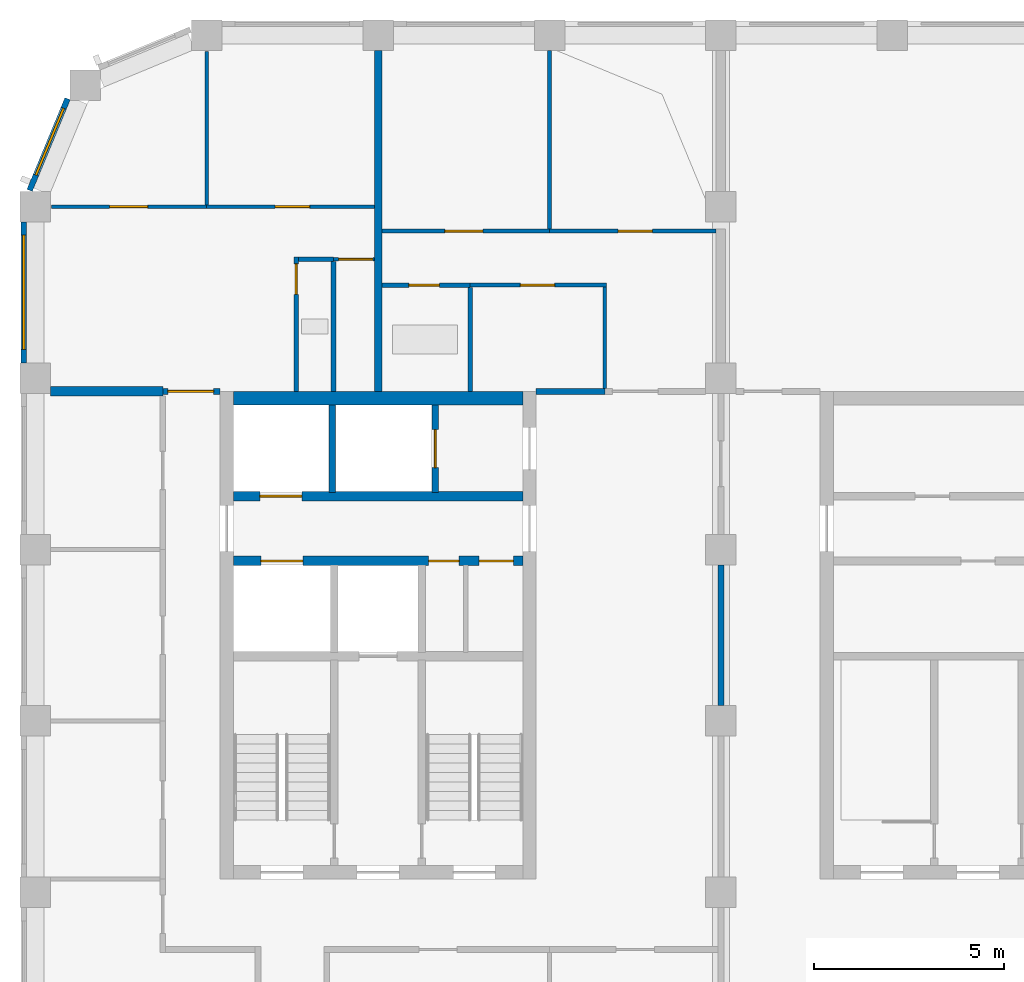
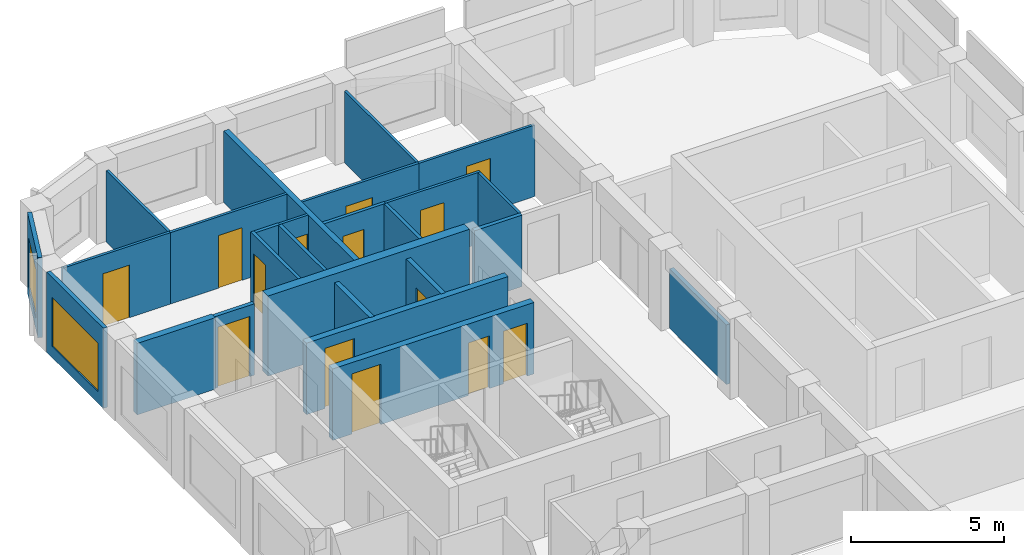
# One storey, part 6 of 10: 26 walls, 14 doors, 2 windows, 16 openings.
"""IFC4 building model written with IfcOpenShell, lengths in metres."""

from ifc_helpers import new_model, si_unit, direction, frame, frame_2d, origin, place, context, subcontext, project, spatial, rectangle, extrude, material, layer, layer_set, type_object, element, fill, save


model = new_model("IFC4")

# Units and contexts
model_context = context("Model", 3, precision=1e-05, world=origin(), true_north=direction((0.0, 1.0)))
body_context = subcontext(model_context, "Body", "Model", "MODEL_VIEW")
ifc_project = project(units=[si_unit("LENGTHUNIT", "METRE"), si_unit("AREAUNIT", "SQUARE_METRE"), si_unit("VOLUMEUNIT", "CUBIC_METRE"), si_unit("PLANEANGLEUNIT", "RADIAN"), si_unit("MASSUNIT", "GRAM", prefix="KILO")], contexts=[model_context])

# Site, building, storey
site_placement = place(None, origin())
site = spatial("IfcSite", under=ifc_project, at=site_placement, CompositionType="ELEMENT")
building_placement = place(site_placement, origin())
building = spatial("IfcBuilding", under=site, at=building_placement, Name="Girih Gate Residences", CompositionType="ELEMENT")
storey_placement = place(building_placement, frame((0.0, 0.0, 232.4951171875)))
storey = spatial("IfcBuildingStorey", under=building, at=storey_placement, Name="L65", CompositionType="ELEMENT", Elevation=232.4951171875)

# Wall
ifc_material_1 = material(Name="Gypsum board on steel studs", Category="steel")
ifc_layer_1 = layer(ifc_material_1, 0.25)
ifc_layer_set_1 = layer_set([ifc_layer_1], Name="Acoustic separating wall 250 mm")
wall_type_1 = type_object("IfcWallType", Name="Acoustic separating wall 250 mm", PredefinedType="PARTITIONING", material=ifc_layer_set_1)
wall_1_placement = place(storey_placement, frame((0.39990234375, 40.14990234375, 0.0), z_axis=(0.0, 0.0, 1.0), x_axis=(1.0, 0.0, 0.0)))
element("IfcWall", 1, at=wall_1_placement, inside=storey, type_object=wall_type_1, Name="L65 partition", PredefinedType="PARTITIONING", context=body_context, shape_type="SweptSolid", body=[
    extrude(rectangle(XDim=2.9501953125, YDim=0.25, at=frame_2d((1.47509765625, 0.0))), origin(), (0.0, 0.0, 1.0), 2.849853515625),
])

# Wall, opening, door
ifc_layer_2 = layer(ifc_material_1, 0.14990234375)
ifc_layer_set_2 = layer_set([ifc_layer_2], Name="Compartment wall 150 mm")
wall_type_2 = type_object("IfcWallType", Name="Compartment wall 150 mm", PredefinedType="PARTITIONING", material=ifc_layer_set_2)
wall_2_placement = place(storey_placement, frame((3.35009765625, 40.14990234375, 0.0), z_axis=(0.0, 0.0, 1.0), x_axis=(1.0, 0.0, 0.0)))
wall_2 = element("IfcWall", 2, at=wall_2_placement, inside=storey, type_object=wall_type_2, Name="L65 partition", PredefinedType="PARTITIONING", context=body_context, shape_type="SweptSolid", body=[
    extrude(rectangle(XDim=1.5, YDim=0.14990234375, at=frame_2d((0.75, 0.0))), origin(), (0.0, 0.0, 1.0), 2.849853515625),
])
opening_1_placement = place(wall_2_placement, frame((0.1298828125, 0.0, 0.0)))
opening_1 = element("IfcOpeningElement", 3, at=opening_1_placement, cuts=wall_2, Name="Opening A65-012", PredefinedType="OPENING", context=body_context, shape_type="SweptSolid", body=[
    extrude(rectangle(XDim=1.199951171875, YDim=2.39990234375, at=frame_2d((0.60009765625, 1.199951171875))), frame((0.0, 0.0849609375, 0.0), z_axis=(0.0, -1.0, 0.0), x_axis=(1.0, 0.0, 0.0)), (0.0, 0.0, 1.0), 0.169921875),
])
ifc_material_2 = material(Name="Timber, fire-rated core", Category="wood")
door_type_1 = type_object("IfcDoorType", Name="Villa entrance door 1200x2400 FD30S", OperationType="NOTDEFINED", PredefinedType="DOOR", material=ifc_material_2)
door_1_placement = place(opening_1_placement, origin())
door_1 = element("IfcDoor", 4, at=door_1_placement, inside=storey, type_object=door_type_1, Name="Door A65-012", OperationType="SINGLE_SWING_LEFT", OverallHeight=2.39990234375, OverallWidth=1.199951171875, PredefinedType="DOOR", context=body_context, shape_type="SweptSolid", body=[
    extrude(rectangle(XDim=1.199951171875, YDim=2.39990234375, at=frame_2d((0.60009765625, 1.199951171875))), frame((0.0, 0.02490234375, 0.0), z_axis=(0.0, -1.0, 0.0), x_axis=(1.0, 0.0, 0.0)), (0.0, 0.0, 1.0), 0.050048828125),
])
fill(opening_1, door_1)

# Walls
wall_3_placement = place(storey_placement, frame((13.14990234375, 40.14990234375, 0.0), z_axis=(0.0, 0.0, 1.0), x_axis=(1.0, 0.0, 0.0)))
element("IfcWall", 5, at=wall_3_placement, inside=storey, type_object=wall_type_2, Name="L65 partition", PredefinedType="PARTITIONING", context=body_context, shape_type="SweptSolid", body=[
    extrude(rectangle(XDim=1.800048828125, YDim=0.14990234375, at=frame_2d((0.89990234375, 0.0))), origin(), (0.0, 0.0, 1.0), 2.849853515625),
])
wall_4_placement = place(storey_placement, frame((18.0, 31.89990234375, 0.0), z_axis=(0.0, 0.0, 1.0), x_axis=(0.0, 1.0, 0.0)))
element("IfcWall", 6, at=wall_4_placement, inside=storey, type_object=wall_type_2, Name="L65 partition", PredefinedType="PARTITIONING", context=body_context, shape_type="SweptSolid", body=[
    extrude(rectangle(XDim=3.7001953125, YDim=0.14990234375, at=frame_2d((1.85009765625, 0.0))), origin(), (0.0, 0.0, 1.0), 2.3798828125),
])
ifc_material_3 = material(Name="Concrete C60/75", Category="concrete")
ifc_layer_3 = layer(ifc_material_3, 0.35009765625)
ifc_layer_set_3 = layer_set([ifc_layer_3], Name="Core wall RC 350 Concrete C60/75")
wall_type_3 = type_object("IfcWallType", Name="Core wall RC 350 Concrete C60/75", PredefinedType="SOLIDWALL", material=ifc_layer_set_3)
wall_5_placement = place(storey_placement, frame((5.199951171875, 39.97509765625, 0.0), z_axis=(0.0, 0.0, 1.0), x_axis=(1.0, 0.0, 0.0)))
element("IfcWall", 7, at=wall_5_placement, inside=storey, type_object=wall_type_3, Name="Core wall W-N L65", PredefinedType="SOLIDWALL", context=body_context, shape_type="SweptSolid", body=[
    extrude(rectangle(XDim=7.60009765625, YDim=0.35009765625, at=frame_2d((3.800048828125, 0.0))), origin(), (0.0, 0.0, 1.0), 3.199951171875),
])

# Wall, openings, doors
ifc_material_4 = material(Name="Concrete C40/50", Category="concrete")
ifc_layer_4 = layer(ifc_material_4, 0.25)
ifc_layer_set_4 = layer_set([ifc_layer_4], Name="Lift shaft wall 250")
wall_type_4 = type_object("IfcWallType", Name="Lift shaft wall 250", PredefinedType="SOLIDWALL", material=ifc_layer_set_4)
wall_6_placement = place(storey_placement, frame((5.199951171875, 35.699951171875, 0.0), z_axis=(0.0, 0.0, 1.0), x_axis=(1.0, 0.0, 0.0)))
wall_6 = element("IfcWall", 8, at=wall_6_placement, inside=storey, type_object=wall_type_4, Name="L65 W core wall H2", PredefinedType="SOLIDWALL", context=body_context, shape_type="SweptSolid", body=[
    extrude(rectangle(XDim=7.60009765625, YDim=0.25, at=frame_2d((3.800048828125, 0.0))), origin(), (0.0, 0.0, 1.0), 2.849853515625),
])
opening_2_placement = place(wall_6_placement, frame((0.72509765625, 0.0, 0.0)))
opening_2 = element("IfcOpeningElement", 9, at=opening_2_placement, cuts=wall_6, Name="Opening D-L65-W-005", PredefinedType="OPENING", context=body_context, shape_type="SweptSolid", body=[
    extrude(rectangle(XDim=1.10009765625, YDim=2.39990234375, at=frame_2d((0.550048828125, 1.199951171875))), frame((0.0, 0.135009765625, 0.0), z_axis=(0.0, -1.0, 0.0), x_axis=(1.0, 0.0, 0.0)), (0.0, 0.0, 1.0), 0.27001953125),
])
opening_3_placement = place(wall_6_placement, frame((5.125, 0.0, 0.0)))
opening_3 = element("IfcOpeningElement", 10, at=opening_3_placement, cuts=wall_6, Name="Opening D-L65-W-007", PredefinedType="OPENING", context=body_context, shape_type="SweptSolid", body=[
    extrude(rectangle(XDim=0.800048828125, YDim=2.10009765625, at=frame_2d((0.39990234375, 1.050048828125))), frame((0.0, 0.135009765625, 0.0), z_axis=(0.0, -1.0, 0.0), x_axis=(1.0, 0.0, 0.0)), (0.0, 0.0, 1.0), 0.27001953125),
])
opening_4_placement = place(wall_6_placement, frame((6.449951171875, 0.0, 0.0)))
opening_4 = element("IfcOpeningElement", 11, at=opening_4_placement, cuts=wall_6, Name="Opening D-L65-W-008", PredefinedType="OPENING", context=body_context, shape_type="SweptSolid", body=[
    extrude(rectangle(XDim=0.89990234375, YDim=2.10009765625, at=frame_2d((0.449951171875, 1.050048828125))), frame((0.0, 0.135009765625, 0.0), z_axis=(0.0, -1.0, 0.0), x_axis=(1.0, 0.0, 0.0)), (0.0, 0.0, 1.0), 0.27001953125),
])
ifc_material_5 = material(Name="Painted steel, fire-resisting", Category="steel")
door_type_2 = type_object("IfcDoorType", Name="Fire door 800x2100", OperationType="SINGLE_SWING_LEFT", PredefinedType="DOOR", material=ifc_material_5)
door_2_placement = place(opening_3_placement, origin())
door_2 = element("IfcDoor", 12, at=door_2_placement, inside=storey, type_object=door_type_2, Name="L65 W riser room door", OperationType="SINGLE_SWING_LEFT", OverallHeight=2.10009765625, OverallWidth=0.800048828125, PredefinedType="DOOR", context=body_context, shape_type="SweptSolid", body=[
    extrude(rectangle(XDim=0.800048828125, YDim=2.10009765625, at=frame_2d((0.39990234375, 1.050048828125))), frame((0.0, 0.02490234375, 0.0), z_axis=(0.0, -1.0, 0.0), x_axis=(1.0, 0.0, 0.0)), (0.0, 0.0, 1.0), 0.050048828125),
])
fill(opening_3, door_2)
door_type_3 = type_object("IfcDoorType", Name="Fire door 900x2100", OperationType="SINGLE_SWING_LEFT", PredefinedType="DOOR", material=ifc_material_5)
door_3_placement = place(opening_4_placement, origin())
door_3 = element("IfcDoor", 13, at=door_3_placement, inside=storey, type_object=door_type_3, Name="L65 W linen store door", OperationType="SINGLE_SWING_LEFT", OverallHeight=2.10009765625, OverallWidth=0.89990234375, PredefinedType="DOOR", context=body_context, shape_type="SweptSolid", body=[
    extrude(rectangle(XDim=0.89990234375, YDim=2.10009765625, at=frame_2d((0.449951171875, 1.050048828125))), frame((0.0, 0.02490234375, 0.0), z_axis=(0.0, -1.0, 0.0), x_axis=(1.0, 0.0, 0.0)), (0.0, 0.0, 1.0), 0.050048828125),
])
fill(opening_4, door_3)
ifc_material_6 = material(Name="Stainless steel", Category="steel")
door_type_4 = type_object("IfcDoorType", Name="Lift landing door 1100x2400", OperationType="SLIDING_TO_LEFT", PredefinedType="DOOR", material=ifc_material_6)
door_4_placement = place(opening_2_placement, origin())
door_4 = element("IfcDoor", 14, at=door_4_placement, inside=storey, type_object=door_type_4, Name="L65 lift HR-W1 landing door", OperationType="SLIDING_TO_LEFT", OverallHeight=2.39990234375, OverallWidth=1.10009765625, PredefinedType="DOOR", context=body_context, shape_type="SweptSolid", body=[
    extrude(rectangle(XDim=1.10009765625, YDim=2.39990234375, at=frame_2d((0.550048828125, 1.199951171875))), frame((0.0, 0.02490234375, 0.0), z_axis=(0.0, -1.0, 0.0), x_axis=(1.0, 0.0, 0.0)), (0.0, 0.0, 1.0), 0.050048828125),
])
fill(opening_2, door_4)

# Wall, opening, door
wall_7_placement = place(storey_placement, frame((5.199951171875, 37.39990234375, 0.0), z_axis=(0.0, 0.0, 1.0), x_axis=(1.0, 0.0, 0.0)))
wall_7 = element("IfcWall", 15, at=wall_7_placement, inside=storey, type_object=wall_type_4, Name="L65 W core wall H3", PredefinedType="SOLIDWALL", context=body_context, shape_type="SweptSolid", body=[
    extrude(rectangle(XDim=7.60009765625, YDim=0.25, at=frame_2d((3.800048828125, 0.0))), origin(), (0.0, 0.0, 1.0), 2.849853515625),
])
opening_5_placement = place(wall_7_placement, frame((0.699951171875, 0.0, 0.0)))
opening_5 = element("IfcOpeningElement", 16, at=opening_5_placement, cuts=wall_7, Name="Opening D-L65-W-003", PredefinedType="OPENING", context=body_context, shape_type="SweptSolid", body=[
    extrude(rectangle(XDim=1.10009765625, YDim=2.39990234375, at=frame_2d((0.550048828125, 1.199951171875))), frame((0.0, 0.135009765625, 0.0), z_axis=(0.0, -1.0, 0.0), x_axis=(1.0, 0.0, 0.0)), (0.0, 0.0, 1.0), 0.27001953125),
])
door_5_placement = place(opening_5_placement, origin())
door_5 = element("IfcDoor", 17, at=door_5_placement, inside=storey, type_object=door_type_4, Name="L65 lift LR-W1 landing door", OperationType="SLIDING_TO_LEFT", OverallHeight=2.39990234375, OverallWidth=1.10009765625, PredefinedType="DOOR", context=body_context, shape_type="SweptSolid", body=[
    extrude(rectangle(XDim=1.10009765625, YDim=2.39990234375, at=frame_2d((0.550048828125, 1.199951171875))), frame((0.0, 0.02490234375, 0.0), z_axis=(0.0, -1.0, 0.0), x_axis=(1.0, 0.0, 0.0)), (0.0, 0.0, 1.0), 0.050048828125),
])
fill(opening_5, door_5)

ifc_layer_5 = layer(ifc_material_1, 0.10009765625)
ifc_layer_set_5 = layer_set([ifc_layer_5], Name="Partition 100 mm")
wall_type_5 = type_object("IfcWallType", Name="Partition 100 mm", PredefinedType="PARTITIONING", material=ifc_layer_set_5)
wall_8_placement = place(storey_placement, frame((4.5, 45.0, 0.0), z_axis=(0.0, 0.0, 1.0), x_axis=(1.0, 0.0, 0.0)))
wall_8 = element("IfcWall", 18, at=wall_8_placement, inside=storey, type_object=wall_type_5, Name="L65 partition", PredefinedType="PARTITIONING", context=body_context, shape_type="SweptSolid", body=[
    extrude(rectangle(XDim=4.39990234375, YDim=0.10009765625, at=frame_2d((2.199951171875, 0.0))), origin(), (0.0, 0.0, 1.0), 2.849853515625),
])
opening_6_placement = place(wall_8_placement, frame((1.800048828125, 0.0, 0.0)))
opening_6 = element("IfcOpeningElement", 19, at=opening_6_placement, cuts=wall_8, Name="Opening A65-009", PredefinedType="OPENING", context=body_context, shape_type="SweptSolid", body=[
    extrude(rectangle(XDim=0.89990234375, YDim=2.10009765625, at=frame_2d((0.449951171875, 1.050048828125))), frame((0.0, 0.06005859375, 0.0), z_axis=(0.0, -1.0, 0.0), x_axis=(1.0, 0.0, 0.0)), (0.0, 0.0, 1.0), 0.1201171875),
])
ifc_material_7 = material(Name="Timber", Category="wood")
door_type_5 = type_object("IfcDoorType", Name="Bedroom door 900x2100", OperationType="NOTDEFINED", PredefinedType="DOOR", material=ifc_material_7)
door_6_placement = place(opening_6_placement, origin())
door_6 = element("IfcDoor", 20, at=door_6_placement, inside=storey, type_object=door_type_5, Name="Door A65-009", OperationType="SINGLE_SWING_RIGHT", OverallHeight=2.10009765625, OverallWidth=0.89990234375, PredefinedType="DOOR", context=body_context, shape_type="SweptSolid", body=[
    extrude(rectangle(XDim=0.89990234375, YDim=2.10009765625, at=frame_2d((0.449951171875, 1.050048828125))), frame((0.0, 0.02490234375, 0.0), z_axis=(0.0, -1.0, 0.0), x_axis=(1.0, 0.0, 0.0)), (0.0, 0.0, 1.0), 0.050048828125),
])
fill(opening_6, door_6)

# Wall
wall_9_placement = place(storey_placement, frame((4.5, 45.050048828125, 0.0), z_axis=(0.0, 0.0, 1.0), x_axis=(0.0, 1.0, 0.0)))
element("IfcWall", 21, at=wall_9_placement, inside=storey, type_object=wall_type_5, Name="L65 partition", PredefinedType="PARTITIONING", context=body_context, shape_type="SweptSolid", body=[
    extrude(rectangle(XDim=4.01708984375, YDim=0.10009765625, at=frame_2d((2.008544921875, 0.0))), origin(), (0.0, 0.0, 1.0), 2.849853515625),
])

# Wall, opening, door
wall_10_placement = place(storey_placement, frame((8.89990234375, 43.6201171875, 0.0), z_axis=(0.0, 0.0, 1.0), x_axis=(-1.0, 0.0, 0.0)))
wall_10 = element("IfcWall", 22, at=wall_10_placement, inside=storey, type_object=wall_type_5, Name="L65 partition", PredefinedType="PARTITIONING", context=body_context, shape_type="SweptSolid", body=[
    extrude(rectangle(XDim=1.072509765625, YDim=0.10009765625, at=frame_2d((0.5361328125, 0.0))), origin(), (0.0, 0.0, 1.0), 2.849853515625),
])
opening_7_placement = place(wall_10_placement, frame((0.036376953125, 0.0, 0.0)))
opening_7 = element("IfcOpeningElement", 23, at=opening_7_placement, cuts=wall_10, Name="Opening A65-010", PredefinedType="OPENING", context=body_context, shape_type="SweptSolid", body=[
    extrude(rectangle(XDim=0.89990234375, YDim=2.10009765625, at=frame_2d((0.449951171875, 1.050048828125))), frame((0.0, 0.06005859375, 0.0), z_axis=(0.0, -1.0, 0.0), x_axis=(1.0, 0.0, 0.0)), (0.0, 0.0, 1.0), 0.1201171875),
])
door_type_6 = type_object("IfcDoorType", Name="Kitchen door 900x2100", OperationType="NOTDEFINED", PredefinedType="DOOR", material=ifc_material_7)
door_7_placement = place(opening_7_placement, origin())
door_7 = element("IfcDoor", 24, at=door_7_placement, inside=storey, type_object=door_type_6, Name="Door A65-010", OperationType="SINGLE_SWING_LEFT", OverallHeight=2.10009765625, OverallWidth=0.89990234375, PredefinedType="DOOR", context=body_context, shape_type="SweptSolid", body=[
    extrude(rectangle(XDim=0.89990234375, YDim=2.10009765625, at=frame_2d((0.449951171875, 1.050048828125))), frame((0.0, 0.02490234375, 0.0), z_axis=(0.0, -1.0, 0.0), x_axis=(1.0, 0.0, 0.0)), (0.0, 0.0, 1.0), 0.050048828125),
])
fill(opening_7, door_7)

wall_11_placement = place(storey_placement, frame((0.432861328125, 45.0, 0.0), z_axis=(0.0, 0.0, 1.0), x_axis=(1.0, 0.0, 0.0)))
wall_11 = element("IfcWall", 25, at=wall_11_placement, inside=storey, type_object=wall_type_5, Name="L65 partition", PredefinedType="PARTITIONING", context=body_context, shape_type="SweptSolid", body=[
    extrude(rectangle(XDim=4.067138671875, YDim=0.10009765625, at=frame_2d((2.03369140625, 0.0))), origin(), (0.0, 0.0, 1.0), 2.849853515625),
])
opening_8_placement = place(wall_11_placement, frame((1.51708984375, 0.0, 0.0)))
opening_8 = element("IfcOpeningElement", 26, at=opening_8_placement, cuts=wall_11, Name="Opening A65-011", PredefinedType="OPENING", context=body_context, shape_type="SweptSolid", body=[
    extrude(rectangle(XDim=1.0, YDim=2.10009765625, at=frame_2d((0.5, 1.050048828125))), frame((0.0, 0.06005859375, 0.0), z_axis=(0.0, -1.0, 0.0), x_axis=(1.0, 0.0, 0.0)), (0.0, 0.0, 1.0), 0.1201171875),
])
door_type_7 = type_object("IfcDoorType", Name="Living room door 1000x2100", OperationType="NOTDEFINED", PredefinedType="DOOR", material=ifc_material_7)
door_8_placement = place(opening_8_placement, origin())
door_8 = element("IfcDoor", 27, at=door_8_placement, inside=storey, type_object=door_type_7, Name="Door A65-011", OperationType="SINGLE_SWING_LEFT", OverallHeight=2.10009765625, OverallWidth=1.0, PredefinedType="DOOR", context=body_context, shape_type="SweptSolid", body=[
    extrude(rectangle(XDim=1.0, YDim=2.10009765625, at=frame_2d((0.5, 1.050048828125))), frame((0.0, 0.02490234375, 0.0), z_axis=(0.0, -1.0, 0.0), x_axis=(1.0, 0.0, 0.0)), (0.0, 0.0, 1.0), 0.050048828125),
])
fill(opening_8, door_8)

wall_12_placement = place(storey_placement, frame((13.5, 44.360107421875, 0.0), z_axis=(0.0, 0.0, 1.0), x_axis=(1.0, 0.0, 0.0)))
wall_12 = element("IfcWall", 28, at=wall_12_placement, inside=storey, type_object=wall_type_5, Name="L65 partition", PredefinedType="PARTITIONING", context=body_context, shape_type="SweptSolid", body=[
    extrude(rectangle(XDim=4.375, YDim=0.10009765625, at=frame_2d((2.1875, 0.0))), origin(), (0.0, 0.0, 1.0), 2.849853515625),
])
opening_9_placement = place(wall_12_placement, frame((1.800048828125, 0.0, 0.0)))
opening_9 = element("IfcOpeningElement", 29, at=opening_9_placement, cuts=wall_12, Name="Opening A65-014", PredefinedType="OPENING", context=body_context, shape_type="SweptSolid", body=[
    extrude(rectangle(XDim=0.89990234375, YDim=2.10009765625, at=frame_2d((0.449951171875, 1.050048828125))), frame((0.0, 0.06005859375, 0.0), z_axis=(0.0, -1.0, 0.0), x_axis=(1.0, 0.0, 0.0)), (0.0, 0.0, 1.0), 0.1201171875),
])
door_9_placement = place(opening_9_placement, origin())
door_9 = element("IfcDoor", 30, at=door_9_placement, inside=storey, type_object=door_type_5, Name="Door A65-014", OperationType="SINGLE_SWING_RIGHT", OverallHeight=2.10009765625, OverallWidth=0.89990234375, PredefinedType="DOOR", context=body_context, shape_type="SweptSolid", body=[
    extrude(rectangle(XDim=0.89990234375, YDim=2.10009765625, at=frame_2d((0.449951171875, 1.050048828125))), frame((0.0, 0.02490234375, 0.0), z_axis=(0.0, -1.0, 0.0), x_axis=(1.0, 0.0, 0.0)), (0.0, 0.0, 1.0), 0.050048828125),
])
fill(opening_9, door_9)

# Walls
wall_13_placement = place(storey_placement, frame((13.5, 44.409912109375, 0.0), z_axis=(0.0, 0.0, 1.0), x_axis=(0.0, 1.0, 0.0)))
element("IfcWall", 31, at=wall_13_placement, inside=storey, type_object=wall_type_5, Name="L65 partition", PredefinedType="PARTITIONING", context=body_context, shape_type="SweptSolid", body=[
    extrude(rectangle(XDim=4.690185546875, YDim=0.10009765625, at=frame_2d((2.34521484375, 0.0))), origin(), (0.0, 0.0, 1.0), 2.849853515625),
])
wall_14_placement = place(storey_placement, frame((14.949951171875, 40.22509765625, 0.0), z_axis=(0.0, 0.0, 1.0), x_axis=(0.0, 1.0, 0.0)))
element("IfcWall", 32, at=wall_14_placement, inside=storey, type_object=wall_type_5, Name="L65 partition", PredefinedType="PARTITIONING", context=body_context, shape_type="SweptSolid", body=[
    extrude(rectangle(XDim=2.664794921875, YDim=0.10009765625, at=frame_2d((1.33251953125, 0.0))), origin(), (0.0, 0.0, 1.0), 2.849853515625),
])

# Wall, opening, door
wall_15_placement = place(storey_placement, frame((15.0, 42.93994140625, 0.0), z_axis=(0.0, 0.0, 1.0), x_axis=(-1.0, 0.0, 0.0)))
wall_15 = element("IfcWall", 33, at=wall_15_placement, inside=storey, type_object=wall_type_5, Name="L65 partition", PredefinedType="PARTITIONING", context=body_context, shape_type="SweptSolid", body=[
    extrude(rectangle(XDim=3.581787109375, YDim=0.10009765625, at=frame_2d((1.791015625, 0.0))), origin(), (0.0, 0.0, 1.0), 2.849853515625),
])
opening_10_placement = place(wall_15_placement, frame((1.365966796875, 0.0, 0.0)))
opening_10 = element("IfcOpeningElement", 34, at=opening_10_placement, cuts=wall_15, Name="Opening A65-015", PredefinedType="OPENING", context=body_context, shape_type="SweptSolid", body=[
    extrude(rectangle(XDim=0.89990234375, YDim=2.10009765625, at=frame_2d((0.449951171875, 1.050048828125))), frame((0.0, 0.06005859375, 0.0), z_axis=(0.0, -1.0, 0.0), x_axis=(1.0, 0.0, 0.0)), (0.0, 0.0, 1.0), 0.1201171875),
])
door_10_placement = place(opening_10_placement, origin())
door_10 = element("IfcDoor", 35, at=door_10_placement, inside=storey, type_object=door_type_6, Name="Door A65-015", OperationType="SINGLE_SWING_RIGHT", OverallHeight=2.10009765625, OverallWidth=0.89990234375, PredefinedType="DOOR", context=body_context, shape_type="SweptSolid", body=[
    extrude(rectangle(XDim=0.89990234375, YDim=2.10009765625, at=frame_2d((0.449951171875, 1.050048828125))), frame((0.0, 0.02490234375, 0.0), z_axis=(0.0, -1.0, 0.0), x_axis=(1.0, 0.0, 0.0)), (0.0, 0.0, 1.0), 0.050048828125),
])
fill(opening_10, door_10)

wall_16_placement = place(storey_placement, frame((9.10009765625, 44.360107421875, 0.0), z_axis=(0.0, 0.0, 1.0), x_axis=(1.0, 0.0, 0.0)))
wall_16 = element("IfcWall", 36, at=wall_16_placement, inside=storey, type_object=wall_type_5, Name="L65 partition", PredefinedType="PARTITIONING", context=body_context, shape_type="SweptSolid", body=[
    extrude(rectangle(XDim=4.39990234375, YDim=0.10009765625, at=frame_2d((2.199951171875, 0.0))), origin(), (0.0, 0.0, 1.0), 2.849853515625),
])
opening_11_placement = place(wall_16_placement, frame((1.64990234375, 0.0, 0.0)))
opening_11 = element("IfcOpeningElement", 37, at=opening_11_placement, cuts=wall_16, Name="Opening A65-016", PredefinedType="OPENING", context=body_context, shape_type="SweptSolid", body=[
    extrude(rectangle(XDim=1.0, YDim=2.10009765625, at=frame_2d((0.5, 1.050048828125))), frame((0.0, 0.06005859375, 0.0), z_axis=(0.0, -1.0, 0.0), x_axis=(1.0, 0.0, 0.0)), (0.0, 0.0, 1.0), 0.1201171875),
])
door_11_placement = place(opening_11_placement, origin())
door_11 = element("IfcDoor", 38, at=door_11_placement, inside=storey, type_object=door_type_7, Name="Door A65-016", OperationType="SINGLE_SWING_LEFT", OverallHeight=2.10009765625, OverallWidth=1.0, PredefinedType="DOOR", context=body_context, shape_type="SweptSolid", body=[
    extrude(rectangle(XDim=1.0, YDim=2.10009765625, at=frame_2d((0.5, 1.050048828125))), frame((0.0, 0.02490234375, 0.0), z_axis=(0.0, -1.0, 0.0), x_axis=(1.0, 0.0, 0.0)), (0.0, 0.0, 1.0), 0.050048828125),
])
fill(opening_11, door_11)

# Wall
ifc_layer_6 = layer(ifc_material_1, 0.199951171875)
ifc_layer_set_6 = layer_set([ifc_layer_6], Name="Party wall 200 mm")
wall_type_6 = type_object("IfcWallType", Name="Party wall 200 mm", PredefinedType="PARTITIONING", material=ifc_layer_set_6)
wall_17_placement = place(storey_placement, frame((9.0, 40.14990234375, 0.0), z_axis=(0.0, 0.0, 1.0), x_axis=(0.0, 1.0, 0.0)))
element("IfcWall", 39, at=wall_17_placement, inside=storey, type_object=wall_type_6, Name="L65 partition", PredefinedType="PARTITIONING", context=body_context, shape_type="SweptSolid", body=[
    extrude(rectangle(XDim=8.9501953125, YDim=0.199951171875, at=frame_2d((4.47509765625, 0.0))), origin(), (0.0, 0.0, 1.0), 2.849853515625),
])

# Wall, opening, window
ifc_material_8 = material(Name="Precast concrete C50/60", Category="concrete")
ifc_layer_7 = layer(ifc_material_8, 0.050048828125, Name="Outer leaf")
ifc_material_9 = material(Name="Rigid PIR insulation")
ifc_layer_8 = layer(ifc_material_9, 0.06005859375, Name="Insulation")
ifc_material_10 = material(Name="Precast concrete C40/50", Category="concrete")
ifc_layer_9 = layer(ifc_material_10, 0.0400390625, Name="Inner leaf")
ifc_layer_set_7 = layer_set([ifc_layer_7, ifc_layer_8, ifc_layer_9], Name="Precast concrete C50/60 external wall 150")
wall_type_7 = type_object("IfcWallType", Name="Precast concrete C50/60 external wall 150", PredefinedType="SOLIDWALL", material=ifc_layer_set_7)
wall_18_placement = place(storey_placement, frame((-0.147216796875, 45.4287109375, 0.0), z_axis=(0.0, 0.0, 1.0), x_axis=(0.382669406082, 0.923885342263, 0.0)))
wall_18 = element("IfcWall", 40, at=wall_18_placement, inside=storey, type_object=wall_type_7, Name="External wall NW0013_0482.0", PredefinedType="SOLIDWALL", context=body_context, shape_type="SweptSolid", body=[
    extrude(rectangle(XDim=2.602294921875, YDim=0.14990234375, at=frame_2d((1.30126953125, 0.0))), origin(), (0.0, 0.0, 1.0), 3.199951171875),
])
opening_12_placement = place(wall_18_placement, frame((0.432373046875, 0.0, 0.449951171875)))
opening_12 = element("IfcOpeningElement", 41, at=opening_12_placement, cuts=wall_18, Name="Opening W-2G", PredefinedType="OPENING", context=body_context, shape_type="SweptSolid", body=[
    extrude(rectangle(XDim=1.89990234375, YDim=1.949951171875, at=frame_2d((0.949951171875, 0.97509765625))), frame((0.0, 0.0849609375, 0.0), z_axis=(0.0, -1.0, 0.0), x_axis=(1.0, 0.0, 0.0)), (0.0, 0.0, 1.0), 0.169921875),
])
ifc_material_11 = material(Name="Double glazing in aluminium frame", Category="aluminium")
window_type_1 = type_object("IfcWindowType", Name="Window W-2G 1900x1950", PartitioningType="SINGLE_PANEL", PredefinedType="WINDOW", material=ifc_material_11)
window_1_placement = place(opening_12_placement, origin())
window_1 = element("IfcWindow", 42, at=window_1_placement, inside=storey, type_object=window_type_1, Name="Window W-2G NW0013_0482.0", OverallHeight=1.949951171875, OverallWidth=1.89990234375, PartitioningType="SINGLE_PANEL", PredefinedType="WINDOW", context=body_context, shape_type="SweptSolid", body=[
    extrude(rectangle(XDim=1.89990234375, YDim=1.949951171875, at=frame_2d((0.949951171875, 0.97509765625))), frame((0.0, 0.030029296875, 0.0), z_axis=(0.0, -1.0, 0.0), x_axis=(1.0, 0.0, 0.0)), (0.0, 0.0, 1.0), 0.06005859375),
])
fill(opening_12, window_1)

wall_19_placement = place(storey_placement, frame((-0.300048828125, 40.89990234375, 0.0), z_axis=(0.0, 0.0, 1.0), x_axis=(0.0, 1.0, 0.0)))
wall_19 = element("IfcWall", 43, at=wall_19_placement, inside=storey, type_object=wall_type_7, Name="External wall W0000_0450.0", PredefinedType="SOLIDWALL", context=body_context, shape_type="SweptSolid", body=[
    extrude(rectangle(XDim=3.7001953125, YDim=0.14990234375, at=frame_2d((1.85009765625, 0.0))), origin(), (0.0, 0.0, 1.0), 3.199951171875),
])
opening_13_placement = place(wall_19_placement, frame((0.35009765625, 0.0, 0.449951171875)))
opening_13 = element("IfcOpeningElement", 44, at=opening_13_placement, cuts=wall_19, Name="Opening W-1D", PredefinedType="OPENING", context=body_context, shape_type="SweptSolid", body=[
    extrude(rectangle(XDim=3.0, YDim=1.949951171875, at=frame_2d((1.5, 0.97509765625))), frame((0.0, 0.0849609375, 0.0), z_axis=(0.0, -1.0, 0.0), x_axis=(1.0, 0.0, 0.0)), (0.0, 0.0, 1.0), 0.169921875),
])
window_type_2 = type_object("IfcWindowType", Name="Window W-1D 3000x1950", PartitioningType="SINGLE_PANEL", PredefinedType="WINDOW", material=ifc_material_11)
window_2_placement = place(opening_13_placement, origin())
window_2 = element("IfcWindow", 45, at=window_2_placement, inside=storey, type_object=window_type_2, Name="Window W-1D W0000_0450.0", OverallHeight=1.949951171875, OverallWidth=3.0, PartitioningType="SINGLE_PANEL", PredefinedType="WINDOW", context=body_context, shape_type="SweptSolid", body=[
    extrude(rectangle(XDim=3.0, YDim=1.949951171875, at=frame_2d((1.5, 0.97509765625))), frame((0.0, 0.030029296875, 0.0), z_axis=(0.0, -1.0, 0.0), x_axis=(1.0, 0.0, 0.0)), (0.0, 0.0, 1.0), 0.06005859375),
])
fill(opening_13, window_2)

# Wall
ifc_layer_10 = layer(ifc_material_4, 0.175048828125)
ifc_layer_set_8 = layer_set([ifc_layer_10], Name="Riser shaft wall 175")
wall_type_8 = type_object("IfcWallType", Name="Riser shaft wall 175", PredefinedType="SOLIDWALL", material=ifc_layer_set_8)
wall_20_placement = place(storey_placement, frame((7.800048828125, 37.5, 0.0), z_axis=(0.0, 0.0, 1.0), x_axis=(0.0, 1.0, 0.0)))
element("IfcWall", 46, at=wall_20_placement, inside=storey, type_object=wall_type_8, Name="L65 W core wall V1c", PredefinedType="SOLIDWALL", context=body_context, shape_type="SweptSolid", body=[
    extrude(rectangle(XDim=2.300048828125, YDim=0.175048828125, at=frame_2d((1.14990234375, 0.0))), origin(), (0.0, 0.0, 1.0), 2.849853515625),
])

# Wall, opening, door
wall_21_placement = place(storey_placement, frame((10.5, 37.5, 0.0), z_axis=(0.0, 0.0, 1.0), x_axis=(0.0, 1.0, 0.0)))
wall_21 = element("IfcWall", 47, at=wall_21_placement, inside=storey, type_object=wall_type_8, Name="L65 W core wall V2c", PredefinedType="SOLIDWALL", context=body_context, shape_type="SweptSolid", body=[
    extrude(rectangle(XDim=2.300048828125, YDim=0.175048828125, at=frame_2d((1.14990234375, 0.0))), origin(), (0.0, 0.0, 1.0), 2.849853515625),
])
opening_14_placement = place(wall_21_placement, frame((0.64990234375, 0.0, 0.0)))
opening_14 = element("IfcOpeningElement", 48, at=opening_14_placement, cuts=wall_21, Name="Opening D-L65-W-004", PredefinedType="OPENING", context=body_context, shape_type="SweptSolid", body=[
    extrude(rectangle(XDim=1.0, YDim=2.10009765625, at=frame_2d((0.5, 1.050048828125))), frame((0.0, 0.097412109375, 0.0), z_axis=(0.0, -1.0, 0.0), x_axis=(1.0, 0.0, 0.0)), (0.0, 0.0, 1.0), 0.195068359375),
])
ifc_material_12 = material(Name="Stainless steel, fire-resisting", Category="steel")
door_type_8 = type_object("IfcDoorType", Name="Firefighting lift landing door 1000x2100", OperationType="SLIDING_TO_LEFT", PredefinedType="DOOR", material=ifc_material_12)
door_12_placement = place(opening_14_placement, origin())
door_12 = element("IfcDoor", 49, at=door_12_placement, inside=storey, type_object=door_type_8, Name="L65 lift FF-W2 landing door", OperationType="SLIDING_TO_LEFT", OverallHeight=2.10009765625, OverallWidth=1.0, PredefinedType="DOOR", context=body_context, shape_type="SweptSolid", body=[
    extrude(rectangle(XDim=1.0, YDim=2.10009765625, at=frame_2d((0.5, 1.050048828125))), frame((0.0, 0.02490234375, 0.0), z_axis=(0.0, -1.0, 0.0), x_axis=(1.0, 0.0, 0.0)), (0.0, 0.0, 1.0), 0.050048828125),
])
fill(opening_14, door_12)

ifc_layer_11 = layer(ifc_material_1, 0.125)
ifc_layer_set_9 = layer_set([ifc_layer_11], Name="Wet room wall 125 mm")
wall_type_9 = type_object("IfcWallType", Name="Wet room wall 125 mm", PredefinedType="PARTITIONING", material=ifc_layer_set_9)
wall_22_placement = place(storey_placement, frame((6.85009765625, 43.6826171875, 0.0), z_axis=(0.0, 0.0, 1.0), x_axis=(0.0, -1.0, 0.0)))
wall_22 = element("IfcWall", 50, at=wall_22_placement, inside=storey, type_object=wall_type_9, Name="L65 partition", PredefinedType="PARTITIONING", context=body_context, shape_type="SweptSolid", body=[
    extrude(rectangle(XDim=3.53271484375, YDim=0.125, at=frame_2d((1.766357421875, 0.0))), origin(), (0.0, 0.0, 1.0), 2.849853515625),
])
opening_15_placement = place(wall_22_placement, frame((0.1826171875, 0.0, 0.0)))
opening_15 = element("IfcOpeningElement", 51, at=opening_15_placement, cuts=wall_22, Name="Opening A65-008", PredefinedType="OPENING", context=body_context, shape_type="SweptSolid", body=[
    extrude(rectangle(XDim=0.800048828125, YDim=2.10009765625, at=frame_2d((0.39990234375, 1.050048828125))), frame((0.0, 0.072509765625, 0.0), z_axis=(0.0, -1.0, 0.0), x_axis=(1.0, 0.0, 0.0)), (0.0, 0.0, 1.0), 0.14501953125),
])
door_type_9 = type_object("IfcDoorType", Name="Bathroom door 800x2100", OperationType="NOTDEFINED", PredefinedType="DOOR", material=ifc_material_7)
door_13_placement = place(opening_15_placement, origin())
door_13 = element("IfcDoor", 52, at=door_13_placement, inside=storey, type_object=door_type_9, Name="Door A65-008", OperationType="SINGLE_SWING_LEFT", OverallHeight=2.10009765625, OverallWidth=0.800048828125, PredefinedType="DOOR", context=body_context, shape_type="SweptSolid", body=[
    extrude(rectangle(XDim=0.800048828125, YDim=2.10009765625, at=frame_2d((0.39990234375, 1.050048828125))), frame((0.0, 0.02490234375, 0.0), z_axis=(0.0, -1.0, 0.0), x_axis=(1.0, 0.0, 0.0)), (0.0, 0.0, 1.0), 0.050048828125),
])
fill(opening_15, door_13)

# Walls
wall_23_placement = place(storey_placement, frame((6.91259765625, 43.6201171875, 0.0), z_axis=(0.0, 0.0, 1.0), x_axis=(1.0, 0.0, 0.0)))
element("IfcWall", 53, at=wall_23_placement, inside=storey, type_object=wall_type_9, Name="L65 partition", PredefinedType="PARTITIONING", context=body_context, shape_type="SweptSolid", body=[
    extrude(rectangle(XDim=0.914794921875, YDim=0.125, at=frame_2d((0.45751953125, 0.0))), origin(), (0.0, 0.0, 1.0), 2.849853515625),
])
wall_24_placement = place(storey_placement, frame((7.826904296875, 40.14990234375, 0.0), z_axis=(0.0, 0.0, 1.0), x_axis=(0.0, 1.0, 0.0)))
element("IfcWall", 54, at=wall_24_placement, inside=storey, type_object=wall_type_9, Name="L65 partition", PredefinedType="PARTITIONING", context=body_context, shape_type="SweptSolid", body=[
    extrude(rectangle(XDim=3.40771484375, YDim=0.125, at=frame_2d((1.703857421875, 0.0))), origin(), (0.0, 0.0, 1.0), 2.849853515625),
])

# Wall, opening, door
wall_25_placement = place(storey_placement, frame((11.418212890625, 42.93994140625, 0.0), z_axis=(0.0, 0.0, 1.0), x_axis=(-1.0, 0.0, 0.0)))
wall_25 = element("IfcWall", 55, at=wall_25_placement, inside=storey, type_object=wall_type_9, Name="L65 partition", PredefinedType="PARTITIONING", context=body_context, shape_type="SweptSolid", body=[
    extrude(rectangle(XDim=2.318115234375, YDim=0.125, at=frame_2d((1.1591796875, 0.0))), origin(), (0.0, 0.0, 1.0), 2.849853515625),
])
opening_16_placement = place(wall_25_placement, frame((0.80908203125, 0.0, 0.0)))
opening_16 = element("IfcOpeningElement", 56, at=opening_16_placement, cuts=wall_25, Name="Opening A65-013", PredefinedType="OPENING", context=body_context, shape_type="SweptSolid", body=[
    extrude(rectangle(XDim=0.800048828125, YDim=2.10009765625, at=frame_2d((0.39990234375, 1.050048828125))), frame((0.0, 0.072509765625, 0.0), z_axis=(0.0, -1.0, 0.0), x_axis=(1.0, 0.0, 0.0)), (0.0, 0.0, 1.0), 0.14501953125),
])
door_14_placement = place(opening_16_placement, origin())
door_14 = element("IfcDoor", 57, at=door_14_placement, inside=storey, type_object=door_type_9, Name="Door A65-013", OperationType="SINGLE_SWING_RIGHT", OverallHeight=2.10009765625, OverallWidth=0.800048828125, PredefinedType="DOOR", context=body_context, shape_type="SweptSolid", body=[
    extrude(rectangle(XDim=0.800048828125, YDim=2.10009765625, at=frame_2d((0.39990234375, 1.050048828125))), frame((0.0, 0.02490234375, 0.0), z_axis=(0.0, -1.0, 0.0), x_axis=(1.0, 0.0, 0.0)), (0.0, 0.0, 1.0), 0.050048828125),
])
fill(opening_16, door_14)

# Wall
wall_26_placement = place(storey_placement, frame((11.41796875, 40.14990234375, 0.0), z_axis=(0.0, 0.0, 1.0), x_axis=(0.0, 1.0, 0.0)))
element("IfcWall", 58, at=wall_26_placement, inside=storey, type_object=wall_type_9, Name="L65 partition", PredefinedType="PARTITIONING", context=body_context, shape_type="SweptSolid", body=[
    extrude(rectangle(XDim=2.7275390625, YDim=0.125, at=frame_2d((1.36376953125, 0.0))), origin(), (0.0, 0.0, 1.0), 2.849853515625),
])

save(model, "model.ifc")
